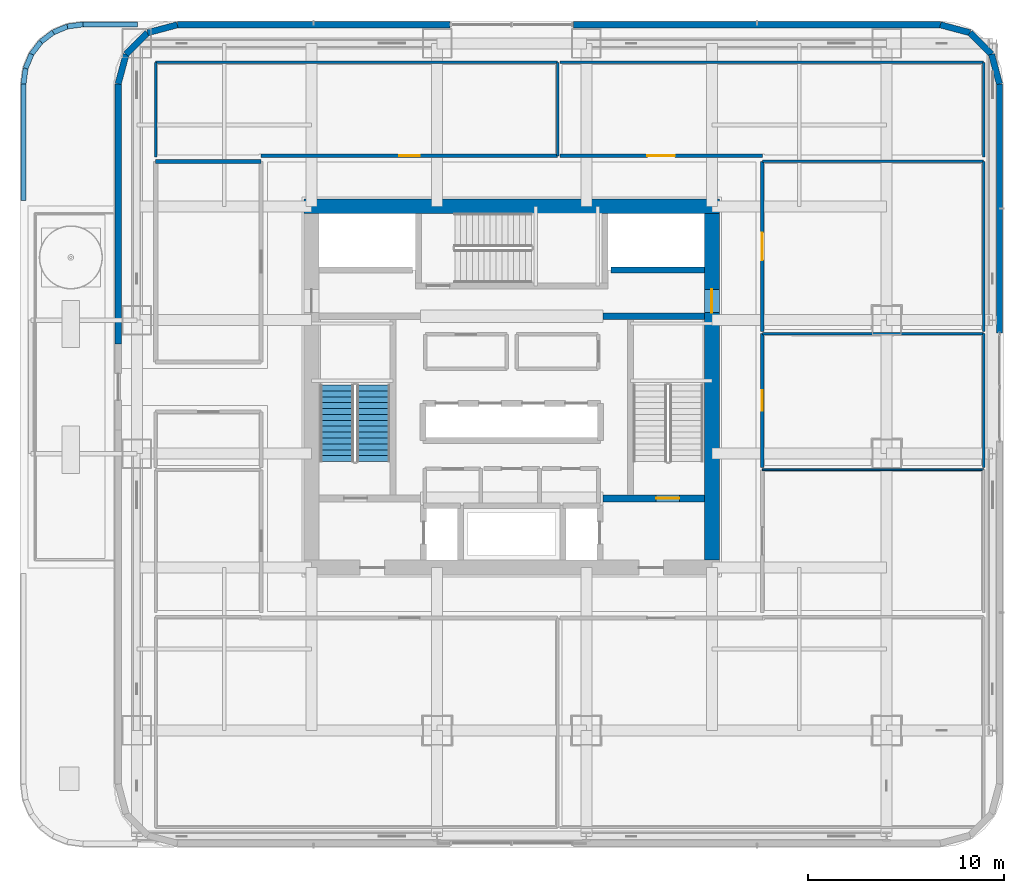
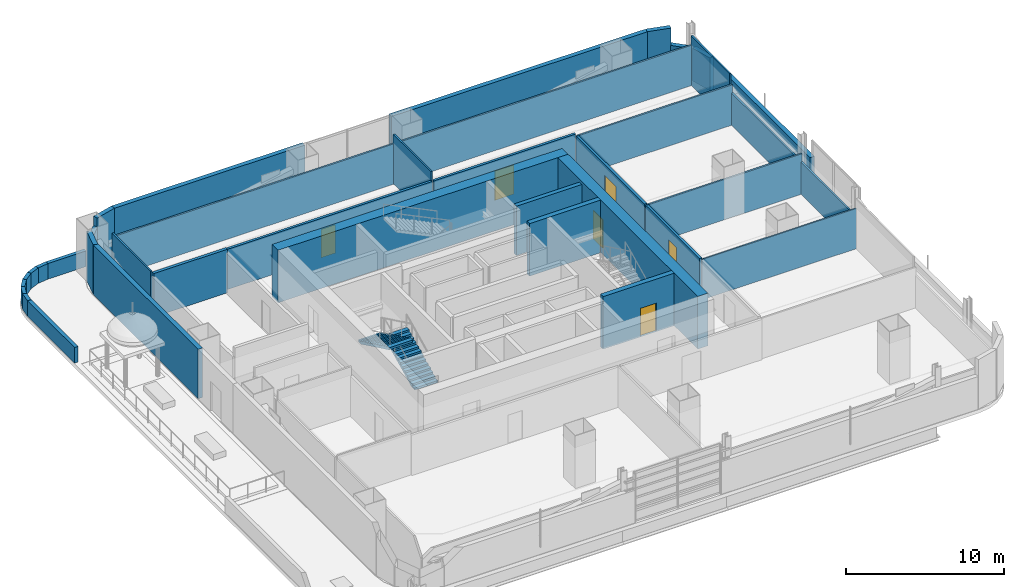
# One storey, part 13 of 27: 38 walls, 6 doors, 2 stair flights, 6 openings, 1 element without a shape of its own.
"""IFC4 building model written with IfcOpenShell, lengths in metres."""

from ifc_helpers import new_model, si_unit, direction, frame, frame_2d, origin, place, context, subcontext, project, spatial, polyline, rectangle, outline, extrude, material, layer, layer_set, type_object, element, fill, aggregate, save


model = new_model("IFC4")

# Units and contexts
model_context = context("Model", 3, precision=1e-05, world=origin(), true_north=direction((0.0, 1.0)))
body_context = subcontext(model_context, "Body", "Model", "MODEL_VIEW")
ifc_project = project(units=[si_unit("LENGTHUNIT", "METRE"), si_unit("AREAUNIT", "SQUARE_METRE"), si_unit("VOLUMEUNIT", "CUBIC_METRE"), si_unit("PLANEANGLEUNIT", "RADIAN"), si_unit("MASSUNIT", "GRAM", prefix="KILO")], contexts=[model_context])

# Site, building, storey
site_placement = place(None, origin())
site = spatial("IfcSite", under=ifc_project, at=site_placement, CompositionType="ELEMENT")
building_placement = place(site_placement, origin())
building = spatial("IfcBuilding", under=site, at=building_placement, Name="Punatoya Terracotta Tower", CompositionType="ELEMENT")
storey_placement = place(building_placement, frame((0.0, 0.0, 60.60009765625)))
storey = spatial("IfcBuildingStorey", under=building, at=storey_placement, Name="L13", CompositionType="ELEMENT", Elevation=60.60009765625)

# Wall
ifc_material_1 = material(Name="Concrete C60/75", Category="concrete")
ifc_layer_1 = layer(ifc_material_1, 0.75)
ifc_layer_set_1 = layer_set([ifc_layer_1], Name="Concrete C60/75")
wall_type_1 = type_object("IfcWallType", Name="WL-COR-750", PredefinedType="SHEAR", material=ifc_layer_set_1)
wall_1_placement = place(storey_placement, frame((-10.574951171875, 9.199951171875, 0.0), z_axis=(0.0, 0.0, 1.0), x_axis=(1.0, 0.0, 0.0)))
element("IfcWall", 1, at=wall_1_placement, inside=storey, type_object=wall_type_1, Name="L13 Core Shear Wall N", PredefinedType="SHEAR", context=body_context, shape_type="SweptSolid", body=[
    extrude(rectangle(XDim=21.14990234375, YDim=0.75, at=frame_2d((10.574951171875, 0.0))), origin(), (0.0, 0.0, 1.0), 4.0498046875),
])

# Wall, opening, door
wall_2_placement = place(storey_placement, frame((10.199951171875, 8.824951171875, 0.0), z_axis=(0.0, 0.0, 1.0), x_axis=(0.0, -1.0, 0.0)))
wall_2 = element("IfcWall", 2, at=wall_2_placement, inside=storey, type_object=wall_type_1, Name="L13 Core Shear Wall E", PredefinedType="SHEAR", context=body_context, shape_type="SweptSolid", body=[
    extrude(rectangle(XDim=17.64990234375, YDim=0.75, at=frame_2d((8.824951171875, 0.0))), origin(), (0.0, 0.0, 1.0), 4.0498046875),
])
opening_1_placement = place(wall_2_placement, frame((3.85498046875, 0.0, 0.0)))
opening_1 = element("IfcOpeningElement", 3, at=opening_1_placement, cuts=wall_2, Name="Opening SD-01", PredefinedType="OPENING", context=body_context, shape_type="SweptSolid", body=[
    extrude(rectangle(XDim=1.179931640625, YDim=2.199951171875, at=frame_2d((0.58984375, 1.10009765625))), frame((0.0, 0.385009765625, 0.0), z_axis=(0.0, -1.0, 0.0), x_axis=(1.0, 0.0, 0.0)), (0.0, 0.0, 1.0), 0.77001953125),
])
ifc_material_2 = material(Name="Galvanised Steel Pressurized Stair Fire Door", Category="steel")
door_type_1 = type_object("IfcDoorType", Name="DR-STR-1180", OperationType="NOTDEFINED", PredefinedType="DOOR", material=ifc_material_2)
door_1_placement = place(opening_1_placement, origin())
door_1 = element("IfcDoor", 4, at=door_1_placement, inside=storey, type_object=door_type_1, Name="L13 Central Lift Lobby East Fire Door", OperationType="SINGLE_SWING_RIGHT", OverallHeight=2.199951171875, OverallWidth=1.179931640625, PredefinedType="DOOR", context=body_context, shape_type="SweptSolid", body=[
    extrude(rectangle(XDim=1.179931640625, YDim=2.199951171875, at=frame_2d((0.58984375, 1.10009765625))), frame((0.0, 0.02490234375, 0.0), z_axis=(0.0, -1.0, 0.0), x_axis=(1.0, 0.0, 0.0)), (0.0, 0.0, 1.0), 0.050048828125),
])
fill(opening_1, door_1)

ifc_material_3 = material(Name="Gypsum Fireboard + Steel Stud", Category="steel")
ifc_layer_2 = layer(ifc_material_3, 0.179931640625)
ifc_layer_set_2 = layer_set([ifc_layer_2], Name="Gypsum Fireboard + Steel Stud")
wall_type_2 = type_object("IfcWallType", Name="WL-CORR-180", PredefinedType="PARTITIONING", material=ifc_layer_set_2)
wall_3_placement = place(storey_placement, frame((12.77001953125, -4.097900390625, 0.0), z_axis=(0.0, 0.0, 1.0), x_axis=(0.0, 1.0, 0.0)))
wall_3 = element("IfcWall", 5, at=wall_3_placement, inside=storey, type_object=wall_type_2, Name="L13 Open-Plan Acoustic Wellness Room Partition 36", PredefinedType="PARTITIONING", context=body_context, shape_type="SweptSolid", body=[
    extrude(rectangle(XDim=6.809814453125, YDim=0.179931640625, at=frame_2d((3.40478515625, 0.0))), origin(), (0.0, 0.0, 1.0), 3.10400390625),
])
opening_2_placement = place(wall_3_placement, frame((2.8798828125, 0.0, 0.0)))
opening_2 = element("IfcOpeningElement", 6, at=opening_2_placement, cuts=wall_3, Name="Opening OD-01", PredefinedType="OPENING", context=body_context, shape_type="SweptSolid", body=[
    extrude(rectangle(XDim=1.050048828125, YDim=2.199951171875, at=frame_2d((0.52490234375, 1.10009765625))), frame((0.0, 0.099853515625, 0.0), z_axis=(0.0, -1.0, 0.0), x_axis=(1.0, 0.0, 0.0)), (0.0, 0.0, 1.0), 0.199951171875),
])
ifc_material_4 = material(Name="Bengal Teak Solid-Core Leaf")
door_type_2 = type_object("IfcDoorType", Name="DR-OFF-1050", OperationType="NOTDEFINED", PredefinedType="DOOR", material=ifc_material_4)
door_2_placement = place(opening_2_placement, origin())
door_2 = element("IfcDoor", 7, at=door_2_placement, inside=storey, type_object=door_type_2, Name="L13 Open-Plan Acoustic Wellness Room Door", OperationType="SINGLE_SWING_RIGHT", OverallHeight=2.199951171875, OverallWidth=1.050048828125, PredefinedType="DOOR", context=body_context, shape_type="SweptSolid", body=[
    extrude(rectangle(XDim=1.050048828125, YDim=2.199951171875, at=frame_2d((0.52490234375, 1.10009765625))), frame((0.0, 0.02490234375, 0.0), z_axis=(0.0, -1.0, 0.0), x_axis=(1.0, 0.0, 0.0)), (0.0, 0.0, 1.0), 0.050048828125),
])
fill(opening_2, door_2)

wall_4_placement = place(storey_placement, frame((12.77001953125, 2.83203125, 0.0), z_axis=(0.0, 0.0, 1.0), x_axis=(0.0, 1.0, 0.0)))
wall_4 = element("IfcWall", 8, at=wall_4_placement, inside=storey, type_object=wall_type_2, Name="L13 Open-Plan Editorial Conference Room Partition 43", PredefinedType="PARTITIONING", context=body_context, shape_type="SweptSolid", body=[
    extrude(rectangle(XDim=8.657958984375, YDim=0.179931640625, at=frame_2d((4.3291015625, 0.0))), origin(), (0.0, 0.0, 1.0), 3.10400390625),
])
opening_3_placement = place(wall_4_placement, frame((3.62890625, 0.0, 0.0)))
opening_3 = element("IfcOpeningElement", 9, at=opening_3_placement, cuts=wall_4, Name="Opening BD-01", PredefinedType="OPENING", context=body_context, shape_type="SweptSolid", body=[
    extrude(rectangle(XDim=1.39990234375, YDim=2.25, at=frame_2d((0.699951171875, 1.125))), frame((0.0, 0.099853515625, 0.0), z_axis=(0.0, -1.0, 0.0), x_axis=(1.0, 0.0, 0.0)), (0.0, 0.0, 1.0), 0.199951171875),
])
ifc_material_5 = material(Name="Bengal Teak Acoustic Leaf")
door_type_3 = type_object("IfcDoorType", Name="DR-BRD-1400", OperationType="NOTDEFINED", PredefinedType="DOOR", material=ifc_material_5)
door_3_placement = place(opening_3_placement, origin())
door_3 = element("IfcDoor", 10, at=door_3_placement, inside=storey, type_object=door_type_3, Name="L13 Open-Plan Editorial Conference Room Door", OperationType="SINGLE_SWING_RIGHT", OverallHeight=2.25, OverallWidth=1.39990234375, PredefinedType="DOOR", context=body_context, shape_type="SweptSolid", body=[
    extrude(rectangle(XDim=1.39990234375, YDim=2.25, at=frame_2d((0.699951171875, 1.125))), frame((0.0, 0.02490234375, 0.0), z_axis=(0.0, -1.0, 0.0), x_axis=(1.0, 0.0, 0.0)), (0.0, 0.0, 1.0), 0.050048828125),
])
fill(opening_3, door_3)

wall_5_placement = place(storey_placement, frame((2.340087890625, 11.77001953125, 0.0), z_axis=(0.0, 0.0, 1.0), x_axis=(-1.0, 0.0, 0.0)))
wall_5 = element("IfcWall", 11, at=wall_5_placement, inside=storey, type_object=wall_type_2, Name="L13 Client Briefing Office Partition 47", PredefinedType="PARTITIONING", context=body_context, shape_type="SweptSolid", body=[
    extrude(rectangle(XDim=15.110107421875, YDim=0.179931640625, at=frame_2d((7.55517578125, 0.0))), origin(), (0.0, 0.0, 1.0), 3.10400390625),
])
opening_4_placement = place(wall_5_placement, frame((7.030029296875, 0.0, 0.0)))
opening_4 = element("IfcOpeningElement", 12, at=opening_4_placement, cuts=wall_5, Name="Opening OD-01", PredefinedType="OPENING", context=body_context, shape_type="SweptSolid", body=[
    extrude(rectangle(XDim=1.050048828125, YDim=2.199951171875, at=frame_2d((0.52490234375, 1.10009765625))), frame((0.0, 0.099853515625, 0.0), z_axis=(0.0, -1.0, 0.0), x_axis=(1.0, 0.0, 0.0)), (0.0, 0.0, 1.0), 0.199951171875),
])
door_4_placement = place(opening_4_placement, origin())
door_4 = element("IfcDoor", 13, at=door_4_placement, inside=storey, type_object=door_type_2, Name="L13 Client Briefing Office Door", OperationType="SINGLE_SWING_LEFT", OverallHeight=2.199951171875, OverallWidth=1.050048828125, PredefinedType="DOOR", context=body_context, shape_type="SweptSolid", body=[
    extrude(rectangle(XDim=1.050048828125, YDim=2.199951171875, at=frame_2d((0.52490234375, 1.10009765625))), frame((0.0, 0.02490234375, 0.0), z_axis=(0.0, -1.0, 0.0), x_axis=(1.0, 0.0, 0.0)), (0.0, 0.0, 1.0), 0.050048828125),
])
fill(opening_4, door_4)

wall_6_placement = place(storey_placement, frame((12.77001953125, 11.77001953125, 0.0), z_axis=(0.0, 0.0, 1.0), x_axis=(-1.0, 0.0, 0.0)))
wall_6 = element("IfcWall", 14, at=wall_6_placement, inside=storey, type_object=wall_type_2, Name="L13 Visualization Review Room Partition 50", PredefinedType="PARTITIONING", context=body_context, shape_type="SweptSolid", body=[
    extrude(rectangle(XDim=10.31005859375, YDim=0.179931640625, at=frame_2d((5.155029296875, 0.0))), origin(), (0.0, 0.0, 1.0), 3.10400390625),
])
opening_5_placement = place(wall_6_placement, frame((4.455078125, 0.0, 0.0)))
opening_5 = element("IfcOpeningElement", 15, at=opening_5_placement, cuts=wall_6, Name="Opening BD-01", PredefinedType="OPENING", context=body_context, shape_type="SweptSolid", body=[
    extrude(rectangle(XDim=1.39990234375, YDim=2.25, at=frame_2d((0.699951171875, 1.125))), frame((0.0, 0.099853515625, 0.0), z_axis=(0.0, -1.0, 0.0), x_axis=(1.0, 0.0, 0.0)), (0.0, 0.0, 1.0), 0.199951171875),
])
door_5_placement = place(opening_5_placement, origin())
door_5 = element("IfcDoor", 16, at=door_5_placement, inside=storey, type_object=door_type_3, Name="L13 Visualization Review Room Door", OperationType="SINGLE_SWING_RIGHT", OverallHeight=2.25, OverallWidth=1.39990234375, PredefinedType="DOOR", context=body_context, shape_type="SweptSolid", body=[
    extrude(rectangle(XDim=1.39990234375, YDim=2.25, at=frame_2d((0.699951171875, 1.125))), frame((0.0, 0.02490234375, 0.0), z_axis=(0.0, -1.0, 0.0), x_axis=(1.0, 0.0, 0.0)), (0.0, 0.0, 1.0), 0.050048828125),
])
fill(opening_5, door_5)

# Walls
ifc_material_6 = material(Name="Precast concrete C40/50", Category="concrete")
ifc_layer_3 = layer(ifc_material_6, 0.320068359375)
ifc_layer_set_3 = layer_set([ifc_layer_3], Name="Precast concrete C40/50")
wall_type_3 = type_object("IfcWallType", Name="WL-EXT-320", PredefinedType="SOLIDWALL", material=ifc_layer_set_3)
wall_7_placement = place(storey_placement, frame((24.85009765625, 2.75, 0.0), z_axis=(0.0, 0.0, 1.0), x_axis=(0.0, 1.0, 0.0)))
element("IfcWall", 17, at=wall_7_placement, inside=storey, type_object=wall_type_3, Name="L13 Terracotta Braced Facade Wall E2", PredefinedType="SOLIDWALL", context=body_context, shape_type="SweptSolid", body=[
    extrude(rectangle(XDim=12.68701171875, YDim=0.320068359375, at=frame_2d((6.343505859375, 0.0))), origin(), (0.0, 0.0, 1.0), 2.52392578125),
])
wall_8_placement = place(storey_placement, frame((24.85009765625, 15.43701171875, 0.0), z_axis=(0.0, 0.0, 1.0), x_axis=(-0.257847112249, 0.966185730957, 0.0)))
element("IfcWall", 18, at=wall_8_placement, inside=storey, type_object=wall_type_3, Name="L13 Rounded Terracotta Corner Pier 06", PredefinedType="SOLIDWALL", context=body_context, shape_type="SweptSolid", body=[
    extrude(rectangle(XDim=1.565185546875, YDim=0.320068359375, at=frame_2d((0.78271484375, 0.0))), origin(), (0.0, 0.0, 1.0), 2.52392578125),
])
wall_9_placement = place(storey_placement, frame((24.446533203125, 16.94921875, 0.0), z_axis=(0.0, 0.0, 1.0), x_axis=(-0.707106781187, 0.707106781187, 0.0)))
element("IfcWall", 19, at=wall_9_placement, inside=storey, type_object=wall_type_3, Name="L13 Rounded Terracotta Corner Pier 07", PredefinedType="SOLIDWALL", context=body_context, shape_type="SweptSolid", body=[
    extrude(rectangle(XDim=1.552001953125, YDim=0.320068359375, at=frame_2d((0.77587890625, 0.0))), origin(), (0.0, 0.0, 1.0), 2.48388671875),
])
wall_10_placement = place(storey_placement, frame((23.34912109375, 18.046630859375, 0.0), z_axis=(0.0, 0.0, 1.0), x_axis=(-0.966224582397, 0.257701486942, 0.0)))
element("IfcWall", 20, at=wall_10_placement, inside=storey, type_object=wall_type_3, Name="L13 Rounded Terracotta Corner Pier 08", PredefinedType="SOLIDWALL", context=body_context, shape_type="SweptSolid", body=[
    extrude(rectangle(XDim=1.565185546875, YDim=0.320068359375, at=frame_2d((0.78271484375, 0.0))), origin(), (0.0, 0.0, 1.0), 3.809814453125),
])
wall_11_placement = place(storey_placement, frame((21.8369140625, 18.449951171875, 0.0), z_axis=(0.0, 0.0, 1.0), x_axis=(-1.0, 0.0, 0.0)))
element("IfcWall", 21, at=wall_11_placement, inside=storey, type_object=wall_type_3, Name="L13 Terracotta Braced Facade Wall N1", PredefinedType="SOLIDWALL", context=body_context, shape_type="SweptSolid", body=[
    extrude(rectangle(XDim=18.68701171875, YDim=0.320068359375, at=frame_2d((9.343505859375, 0.0))), origin(), (0.0, 0.0, 1.0), 3.809814453125),
])
wall_12_placement = place(storey_placement, frame((-3.14990234375, 18.449951171875, 0.0), z_axis=(0.0, 0.0, 1.0), x_axis=(-1.0, 0.0, 0.0)))
element("IfcWall", 22, at=wall_12_placement, inside=storey, type_object=wall_type_3, Name="L13 Terracotta Braced Facade Wall N2", PredefinedType="SOLIDWALL", context=body_context, shape_type="SweptSolid", body=[
    extrude(rectangle(XDim=13.886962890625, YDim=0.320068359375, at=frame_2d((6.943359375, 0.0))), origin(), (0.0, 0.0, 1.0), 3.809814453125),
])
wall_13_placement = place(storey_placement, frame((-17.036865234375, 18.449951171875, 0.0), z_axis=(0.0, 0.0, 1.0), x_axis=(-0.966224582397, -0.257701486942, 0.0)))
element("IfcWall", 23, at=wall_13_placement, inside=storey, type_object=wall_type_3, Name="L13 Rounded Terracotta Corner Pier 10", PredefinedType="SOLIDWALL", context=body_context, shape_type="SweptSolid", body=[
    extrude(rectangle(XDim=1.565185546875, YDim=0.320068359375, at=frame_2d((0.78271484375, 0.0))), origin(), (0.0, 0.0, 1.0), 3.809814453125),
])
wall_14_placement = place(storey_placement, frame((-18.549072265625, 18.046630859375, 0.0), z_axis=(0.0, 0.0, 1.0), x_axis=(-0.707106781187, -0.707106781187, 0.0)))
element("IfcWall", 24, at=wall_14_placement, inside=storey, type_object=wall_type_3, Name="L13 Rounded Terracotta Corner Pier 11", PredefinedType="SOLIDWALL", context=body_context, shape_type="SweptSolid", body=[
    extrude(rectangle(XDim=1.552001953125, YDim=0.320068359375, at=frame_2d((0.77587890625, 0.0))), origin(), (0.0, 0.0, 1.0), 3.10400390625),
])
wall_15_placement = place(storey_placement, frame((-19.646484375, 16.94921875, 0.0), z_axis=(0.0, 0.0, 1.0), x_axis=(-0.257847112249, -0.966185730957, 0.0)))
element("IfcWall", 25, at=wall_15_placement, inside=storey, type_object=wall_type_3, Name="L13 Rounded Terracotta Corner Pier 12", PredefinedType="SOLIDWALL", context=body_context, shape_type="SweptSolid", body=[
    extrude(rectangle(XDim=1.565185546875, YDim=0.320068359375, at=frame_2d((0.78271484375, 0.0))), origin(), (0.0, 0.0, 1.0), 3.809814453125),
])
wall_16_placement = place(storey_placement, frame((-20.050048828125, 15.43701171875, 0.0), z_axis=(0.0, 0.0, 1.0), x_axis=(0.0, -1.0, 0.0)))
element("IfcWall", 26, at=wall_16_placement, inside=storey, type_object=wall_type_3, Name="L13 Terracotta Braced Facade Wall W", PredefinedType="SOLIDWALL", context=body_context, shape_type="SweptSolid", body=[
    extrude(rectangle(XDim=13.237060546875, YDim=0.320068359375, at=frame_2d((6.61865234375, 0.0))), origin(), (0.0, 0.0, 1.0), 3.809814453125),
])
ifc_material_7 = material(Name="Concrete C40/50", Category="concrete")
ifc_layer_4 = layer(ifc_material_7, 0.219970703125)
ifc_layer_set_4 = layer_set([ifc_layer_4], Name="Concrete C40/50")
wall_type_4 = type_object("IfcWallType", Name="WL-FIR-220", PredefinedType="SOLIDWALL", material=ifc_layer_set_4)
wall_17_placement = place(storey_placement, frame((-18.139892578125, 11.489990234375, 0.0), z_axis=(0.0, 0.0, 1.0), x_axis=(1.0, 0.0, 0.0)))
element("IfcWall", 27, at=wall_17_placement, inside=storey, type_object=wall_type_4, Name="L13 Model-Making Archive Partition 38", PredefinedType="SOLIDWALL", context=body_context, shape_type="SweptSolid", body=[
    extrude(rectangle(XDim=5.369873046875, YDim=0.219970703125, at=frame_2d((2.68505859375, 0.0))), origin(), (0.0, 0.0, 1.0), 3.35400390625),
])
ifc_material_8 = material(Name="Aluminium Framed Acoustic Glass Partition", Category="aluminium")
ifc_layer_5 = layer(ifc_material_8, 0.10009765625)
ifc_layer_set_5 = layer_set([ifc_layer_5], Name="Aluminium Framed Acoustic Glass Partition")
wall_type_5 = type_object("IfcWallType", Name="WL-GLZ-100", PredefinedType="PARTITIONING", material=ifc_layer_set_5)
wall_18_placement = place(storey_placement, frame((12.77001953125, -4.218017578125, 0.0), z_axis=(0.0, 0.0, 1.0), x_axis=(1.0, 0.0, 0.0)))
element("IfcWall", 28, at=wall_18_placement, inside=storey, type_object=wall_type_5, Name="L13 Press Briefing Room Partition 28", PredefinedType="PARTITIONING", context=body_context, shape_type="SweptSolid", body=[
    extrude(rectangle(XDim=11.27001953125, YDim=0.10009765625, at=frame_2d((5.635009765625, 0.0))), origin(), (0.0, 0.0, 1.0), 3.10400390625),
])
ifc_material_9 = material(Name="Gypsum Partition + Steel Stud", Category="steel")
ifc_layer_6 = layer(ifc_material_9, 0.1201171875)
ifc_layer_set_6 = layer_set([ifc_layer_6], Name="Gypsum Partition + Steel Stud")
wall_type_6 = type_object("IfcWallType", Name="WL-OFF-120", PredefinedType="PARTITIONING", material=ifc_layer_set_6)
wall_19_placement = place(storey_placement, frame((12.77001953125, 2.7119140625, 0.0), z_axis=(0.0, 0.0, 1.0), x_axis=(1.0, 0.0, 0.0)))
element("IfcWall", 29, at=wall_19_placement, inside=storey, type_object=wall_type_6, Name="L13 Open-Plan Acoustic Wellness Room Partition 34", PredefinedType="PARTITIONING", context=body_context, shape_type="SweptSolid", body=[
    extrude(rectangle(XDim=11.27001953125, YDim=0.1201171875, at=frame_2d((5.635009765625, 0.0))), origin(), (0.0, 0.0, 1.0), 3.10400390625),
])
wall_20_placement = place(storey_placement, frame((24.0400390625, 2.7119140625, 0.0), z_axis=(0.0, 0.0, 1.0), x_axis=(0.0, -1.0, 0.0)))
element("IfcWall", 30, at=wall_20_placement, inside=storey, type_object=wall_type_6, Name="L13 Open-Plan Acoustic Wellness Room Partition 35", PredefinedType="PARTITIONING", context=body_context, shape_type="SweptSolid", body=[
    extrude(rectangle(XDim=6.809814453125, YDim=0.1201171875, at=frame_2d((3.40478515625, 0.0))), origin(), (0.0, 0.0, 1.0), 2.48388671875),
])
wall_21_placement = place(storey_placement, frame((12.77001953125, 11.489990234375, 0.0), z_axis=(0.0, 0.0, 1.0), x_axis=(1.0, 0.0, 0.0)))
element("IfcWall", 31, at=wall_21_placement, inside=storey, type_object=wall_type_6, Name="L13 Open-Plan Editorial Conference Room Partition 41", PredefinedType="PARTITIONING", context=body_context, shape_type="SweptSolid", body=[
    extrude(rectangle(XDim=11.27001953125, YDim=0.1201171875, at=frame_2d((5.635009765625, 0.0))), origin(), (0.0, 0.0, 1.0), 3.10400390625),
])
wall_22_placement = place(storey_placement, frame((24.0400390625, 11.489990234375, 0.0), z_axis=(0.0, 0.0, 1.0), x_axis=(0.0, -1.0, 0.0)))
element("IfcWall", 32, at=wall_22_placement, inside=storey, type_object=wall_type_6, Name="L13 Open-Plan Editorial Conference Room Partition 42", PredefinedType="PARTITIONING", context=body_context, shape_type="SweptSolid", body=[
    extrude(rectangle(XDim=8.657958984375, YDim=0.1201171875, at=frame_2d((4.3291015625, 0.0))), origin(), (0.0, 0.0, 1.0), 2.48388671875),
])
wall_23_placement = place(storey_placement, frame((-18.139892578125, 11.7099609375, 0.0), z_axis=(0.0, 0.0, 1.0), x_axis=(0.0, 1.0, 0.0)))
element("IfcWall", 33, at=wall_23_placement, inside=storey, type_object=wall_type_6, Name="L13 Client Briefing Office Partition 44", PredefinedType="PARTITIONING", context=body_context, shape_type="SweptSolid", body=[
    extrude(rectangle(XDim=4.830078125, YDim=0.1201171875, at=frame_2d((2.4150390625, 0.0))), origin(), (0.0, 0.0, 1.0), 3.35400390625),
])
wall_24_placement = place(storey_placement, frame((-18.139892578125, 16.5400390625, 0.0), z_axis=(0.0, 0.0, 1.0), x_axis=(1.0, 0.0, 0.0)))
element("IfcWall", 34, at=wall_24_placement, inside=storey, type_object=wall_type_6, Name="L13 Client Briefing Office Partition 45", PredefinedType="PARTITIONING", context=body_context, shape_type="SweptSolid", body=[
    extrude(rectangle(XDim=20.47998046875, YDim=0.1201171875, at=frame_2d((10.239990234375, 0.0))), origin(), (0.0, 0.0, 1.0), 3.10400390625),
])
wall_25_placement = place(storey_placement, frame((2.340087890625, 16.5400390625, 0.0), z_axis=(0.0, 0.0, 1.0), x_axis=(0.0, -1.0, 0.0)))
element("IfcWall", 35, at=wall_25_placement, inside=storey, type_object=wall_type_6, Name="L13 Client Briefing Office Partition 46", PredefinedType="PARTITIONING", context=body_context, shape_type="SweptSolid", body=[
    extrude(rectangle(XDim=4.77001953125, YDim=0.1201171875, at=frame_2d((2.385009765625, 0.0))), origin(), (0.0, 0.0, 1.0), 3.809814453125),
])
wall_26_placement = place(storey_placement, frame((2.4599609375, 16.5400390625, 0.0), z_axis=(0.0, 0.0, 1.0), x_axis=(1.0, 0.0, 0.0)))
element("IfcWall", 36, at=wall_26_placement, inside=storey, type_object=wall_type_6, Name="L13 Visualization Review Room Partition 48", PredefinedType="PARTITIONING", context=body_context, shape_type="SweptSolid", body=[
    extrude(rectangle(XDim=21.580078125, YDim=0.1201171875, at=frame_2d((10.7900390625, 0.0))), origin(), (0.0, 0.0, 1.0), 3.10400390625),
])
wall_27_placement = place(storey_placement, frame((24.0400390625, 16.5400390625, 0.0), z_axis=(0.0, 0.0, 1.0), x_axis=(0.0, -1.0, 0.0)))
element("IfcWall", 37, at=wall_27_placement, inside=storey, type_object=wall_type_6, Name="L13 Visualization Review Room Partition 49", PredefinedType="PARTITIONING", context=body_context, shape_type="SweptSolid", body=[
    extrude(rectangle(XDim=4.830078125, YDim=0.1201171875, at=frame_2d((2.4150390625, 0.0))), origin(), (0.0, 0.0, 1.0), 3.809814453125),
])
ifc_layer_7 = layer(ifc_material_6, 0.260009765625)
ifc_layer_set_7 = layer_set([ifc_layer_7], Name="Precast concrete C40/50")
wall_type_7 = type_object("IfcWallType", Name="WL-PAR-260", PredefinedType="PARAPET", material=ifc_layer_set_7)
wall_28_placement = place(storey_placement, frame((-19.065185546875, 18.469970703125, 0.0), z_axis=(0.0, 0.0, 1.0), x_axis=(-1.0, 0.0, 0.0)))
element("IfcWall", 38, at=wall_28_placement, inside=storey, type_object=wall_type_7, Name="L13 Roof Parapet Wall PAR-L13-RF-01", PredefinedType="PARAPET", context=body_context, shape_type="SweptSolid", body=[
    extrude(rectangle(XDim=2.77294921875, YDim=0.260009765625, at=frame_2d((1.386474609375, 0.0))), origin(), (0.0, 0.0, 1.0), 1.199951171875),
])
wall_29_placement = place(storey_placement, frame((-21.838134765625, 18.469970703125, 0.0), z_axis=(0.0, 0.0, 1.0), x_axis=(-0.991429342672, -0.130644014367, 0.0)))
element("IfcWall", 39, at=wall_29_placement, inside=storey, type_object=wall_type_7, Name="L13 Roof Parapet Wall PAR-L13-RF-02", PredefinedType="PARAPET", context=body_context, shape_type="SweptSolid", body=[
    extrude(rectangle(XDim=0.7998046875, YDim=0.260009765625, at=frame_2d((0.39990234375, 0.0))), origin(), (0.0, 0.0, 1.0), 1.199951171875),
])
wall_30_placement = place(storey_placement, frame((-22.631103515625, 18.365478515625, 0.0), z_axis=(0.0, 0.0, 1.0), x_axis=(-0.924009282298, -0.382370038349, 0.0)))
element("IfcWall", 40, at=wall_30_placement, inside=storey, type_object=wall_type_7, Name="L13 Roof Parapet Wall PAR-L13-RF-03", PredefinedType="PARAPET", context=body_context, shape_type="SweptSolid", body=[
    extrude(rectangle(XDim=0.787841796875, YDim=0.260009765625, at=frame_2d((0.39404296875, 0.0))), origin(), (0.0, 0.0, 1.0), 1.199951171875),
])
wall_31_placement = place(storey_placement, frame((-23.359130859375, 18.064208984375, 0.0), z_axis=(0.0, 0.0, 1.0), x_axis=(-0.793222344381, -0.608932108182, 0.0)))
element("IfcWall", 41, at=wall_31_placement, inside=storey, type_object=wall_type_7, Name="L13 Roof Parapet Wall PAR-L13-RF-04", PredefinedType="PARAPET", context=body_context, shape_type="SweptSolid", body=[
    extrude(rectangle(XDim=0.788330078125, YDim=0.260009765625, at=frame_2d((0.39404296875, 0.0))), origin(), (0.0, 0.0, 1.0), 1.199951171875),
])
wall_32_placement = place(storey_placement, frame((-23.984375, 17.584228515625, 0.0), z_axis=(0.0, 0.0, 1.0), x_axis=(-0.608886809997, -0.793257116332, 0.0)))
element("IfcWall", 42, at=wall_32_placement, inside=storey, type_object=wall_type_7, Name="L13 Roof Parapet Wall PAR-L13-RF-05", PredefinedType="PARAPET", context=body_context, shape_type="SweptSolid", body=[
    extrude(rectangle(XDim=0.787841796875, YDim=0.260009765625, at=frame_2d((0.39404296875, 0.0))), origin(), (0.0, 0.0, 1.0), 1.199951171875),
])
wall_33_placement = place(storey_placement, frame((-24.464111328125, 16.959228515625, 0.0), z_axis=(0.0, 0.0, 1.0), x_axis=(-0.38263454961, -0.923899778896, 0.0)))
element("IfcWall", 43, at=wall_33_placement, inside=storey, type_object=wall_type_7, Name="L13 Roof Parapet Wall PAR-L13-RF-06", PredefinedType="PARAPET", context=body_context, shape_type="SweptSolid", body=[
    extrude(rectangle(XDim=0.7880859375, YDim=0.260009765625, at=frame_2d((0.39404296875, 0.0))), origin(), (0.0, 0.0, 1.0), 1.199951171875),
])
wall_34_placement = place(storey_placement, frame((-24.765625, 16.231201171875, 0.0), z_axis=(0.0, 0.0, 1.0), x_axis=(-0.130644014367, -0.991429342672, 0.0)))
element("IfcWall", 44, at=wall_34_placement, inside=storey, type_object=wall_type_7, Name="L13 Roof Parapet Wall PAR-L13-RF-07", PredefinedType="PARAPET", context=body_context, shape_type="SweptSolid", body=[
    extrude(rectangle(XDim=0.7998046875, YDim=0.260009765625, at=frame_2d((0.39990234375, 0.0))), origin(), (0.0, 0.0, 1.0), 1.199951171875),
])
wall_35_placement = place(storey_placement, frame((-24.8701171875, 15.438232421875, 0.0), z_axis=(0.0, 0.0, 1.0), x_axis=(0.0, -1.0, 0.0)))
element("IfcWall", 45, at=wall_35_placement, inside=storey, type_object=wall_type_7, Name="L13 Roof Parapet Wall PAR-L13-RF-08", PredefinedType="PARAPET", context=body_context, shape_type="SweptSolid", body=[
    extrude(rectangle(XDim=5.938232421875, YDim=0.260009765625, at=frame_2d((2.96923828125, 0.0))), origin(), (0.0, 0.0, 1.0), 1.199951171875),
])
ifc_layer_8 = layer(ifc_material_7, 0.300048828125)
ifc_layer_set_8 = layer_set([ifc_layer_8], Name="Concrete C40/50")
wall_type_8 = type_object("IfcWallType", Name="WL-SHF-300", PredefinedType="SOLIDWALL", material=ifc_layer_set_8)
wall_36_placement = place(storey_placement, frame((5.06005859375, 5.949951171875, 0.0), z_axis=(0.0, 0.0, 1.0), x_axis=(1.0, 0.0, 0.0)))
element("IfcWall", 46, at=wall_36_placement, inside=storey, type_object=wall_type_8, Name="L13 Shuttle SL-2 South Hoistway Wall", PredefinedType="SOLIDWALL", context=body_context, shape_type="SweptSolid", body=[
    extrude(rectangle(XDim=4.760009765625, YDim=0.300048828125, at=frame_2d((2.3798828125, 0.0))), origin(), (0.0, 0.0, 1.0), 3.809814453125),
])

# Wall, opening, door
ifc_material_10 = material(Name="Concrete C50/60", Category="concrete")
ifc_layer_9 = layer(ifc_material_10, 0.35009765625)
ifc_layer_set_9 = layer_set([ifc_layer_9], Name="Concrete C50/60")
wall_type_9 = type_object("IfcWallType", Name="WL-SHF-350", PredefinedType="SOLIDWALL", material=ifc_layer_set_9)
wall_37_placement = place(storey_placement, frame((4.64990234375, -5.679931640625, 0.0), z_axis=(0.0, 0.0, 1.0), x_axis=(1.0, 0.0, 0.0)))
wall_37 = element("IfcWall", 47, at=wall_37_placement, inside=storey, type_object=wall_type_9, Name="L13 Core Web Wall CSW-R", PredefinedType="SOLIDWALL", context=body_context, shape_type="SweptSolid", body=[
    extrude(rectangle(XDim=5.175048828125, YDim=0.35009765625, at=frame_2d((2.58740234375, 0.0))), origin(), (0.0, 0.0, 1.0), 4.0498046875),
])
opening_6_placement = place(wall_37_placement, frame((2.7099609375, 0.0, 0.0)))
opening_6 = element("IfcOpeningElement", 48, at=opening_6_placement, cuts=wall_37, Name="Opening SD-01", PredefinedType="OPENING", context=body_context, shape_type="SweptSolid", body=[
    extrude(rectangle(XDim=1.179931640625, YDim=2.199951171875, at=frame_2d((0.58984375, 1.10009765625))), frame((0.0, 0.18505859375, 0.0), z_axis=(0.0, -1.0, 0.0), x_axis=(1.0, 0.0, 0.0)), (0.0, 0.0, 1.0), 0.3701171875),
])
door_6_placement = place(opening_6_placement, origin())
door_6 = element("IfcDoor", 49, at=door_6_placement, inside=storey, type_object=door_type_1, Name="L13 Stair ST-2 Smokeproof Lobby Fire Door", OperationType="SINGLE_SWING_RIGHT", OverallHeight=2.199951171875, OverallWidth=1.179931640625, PredefinedType="DOOR", context=body_context, shape_type="SweptSolid", body=[
    extrude(rectangle(XDim=1.179931640625, YDim=2.199951171875, at=frame_2d((0.58984375, 1.10009765625))), frame((0.0, 0.02490234375, 0.0), z_axis=(0.0, -1.0, 0.0), x_axis=(1.0, 0.0, 0.0)), (0.0, 0.0, 1.0), 0.050048828125),
])
fill(opening_6, door_6)

# Wall
wall_38_placement = place(storey_placement, frame((4.64990234375, 3.60009765625, 0.0), z_axis=(0.0, 0.0, 1.0), x_axis=(1.0, 0.0, 0.0)))
element("IfcWall", 50, at=wall_38_placement, inside=storey, type_object=wall_type_9, Name="L13 Core Web Wall CNW-R", PredefinedType="SOLIDWALL", context=body_context, shape_type="SweptSolid", body=[
    extrude(rectangle(XDim=5.175048828125, YDim=0.35009765625, at=frame_2d((2.58740234375, 0.0))), origin(), (0.0, 0.0, 1.0), 4.0498046875),
])

# Stair, stair flights
stair_type = type_object("IfcStairType", Name="STR-CORE-1550", PredefinedType="HALF_TURN_STAIR", material=ifc_material_7)
stair_placement = place(storey_placement, origin())
stair = element("IfcStair", 51, at=stair_placement, inside=storey, type_object=stair_type, Name="L13 Protected Core Exit Stair ST-1", PredefinedType="HALF_TURN_STAIR")
stair_flight_type = type_object("IfcStairFlightType", Name="SFL-CORE-1550", PredefinedType="STRAIGHT", material=ifc_material_7)
stair_flight_1_placement = place(storey_placement, frame((-7.050048828125, -3.800048828125, 0.0), z_axis=(0.0, 0.0, 1.0), x_axis=(0.0, 1.0, 0.0)))
stair_flight_1 = element("IfcStairFlight", 52, at=stair_flight_1_placement, type_object=stair_flight_type, Name="ST-1 flight 1", NumberOfRisers=14, NumberOfTreads=13, PredefinedType="STRAIGHT", RiserHeight=0.144642857, TreadLength=0.3, context=body_context, shape_type="SweptSolid", body=[
    extrude(outline(polyline([(0.0, 0.0), (0.0, 0.14453125), (0.300048828125, 0.14453125), (0.300048828125, 0.289306640625), (0.60009765625, 0.289306640625), (0.60009765625, 0.433837890625), (0.89990234375, 0.433837890625), (0.89990234375, 0.57861328125), (1.199951171875, 0.57861328125), (1.199951171875, 0.72314453125), (1.5, 0.72314453125), (1.5, 0.867919921875), (1.800048828125, 0.867919921875), (1.800048828125, 1.012451171875), (2.10009765625, 1.012451171875), (2.10009765625, 1.1572265625), (2.39990234375, 1.1572265625), (2.39990234375, 1.3017578125), (2.699951171875, 1.3017578125), (2.699951171875, 1.446533203125), (3.0, 1.446533203125), (3.0, 1.591064453125), (3.300048828125, 1.591064453125), (3.300048828125, 1.735595703125), (3.60009765625, 1.735595703125), (3.60009765625, 1.88037109375), (3.89990234375, 1.88037109375), (3.89990234375, 2.02490234375), (3.89990234375, 1.7138671875), (0.34521484375, 0.0), (0.0, 0.0)])), frame((0.0, 0.85009765625, 0.0), z_axis=(0.0, -1.0, 0.0), x_axis=(1.0, 0.0, 0.0)), (0.0, 0.0, 1.0), 1.699951171875),
])
stair_flight_2_placement = place(storey_placement, frame((-8.89990234375, 0.10009765625, 2.02490234375), z_axis=(0.0, 0.0, 1.0), x_axis=(0.0, -1.0, 0.0)))
stair_flight_2 = element("IfcStairFlight", 53, at=stair_flight_2_placement, type_object=stair_flight_type, Name="ST-1 flight 2", NumberOfRisers=14, NumberOfTreads=13, PredefinedType="STRAIGHT", RiserHeight=0.144642857, TreadLength=0.3, context=body_context, shape_type="SweptSolid", body=[
    extrude(outline(polyline([(0.0, 0.0), (0.0, 0.14453125), (0.300048828125, 0.14453125), (0.300048828125, 0.289306640625), (0.60009765625, 0.289306640625), (0.60009765625, 0.433837890625), (0.89990234375, 0.433837890625), (0.89990234375, 0.57861328125), (1.199951171875, 0.57861328125), (1.199951171875, 0.72314453125), (1.5, 0.72314453125), (1.5, 0.867919921875), (1.800048828125, 0.867919921875), (1.800048828125, 1.012451171875), (2.10009765625, 1.012451171875), (2.10009765625, 1.1572265625), (2.39990234375, 1.1572265625), (2.39990234375, 1.3017578125), (2.699951171875, 1.3017578125), (2.699951171875, 1.446533203125), (3.0, 1.446533203125), (3.0, 1.591064453125), (3.300048828125, 1.591064453125), (3.300048828125, 1.735595703125), (3.60009765625, 1.735595703125), (3.60009765625, 1.88037109375), (3.89990234375, 1.88037109375), (3.89990234375, 2.02490234375), (3.89990234375, 1.7138671875), (0.34521484375, 0.0), (0.0, 0.0)])), frame((0.0, 0.85009765625, 0.0), z_axis=(0.0, -1.0, 0.0), x_axis=(1.0, 0.0, 0.0)), (0.0, 0.0, 1.0), 1.699951171875),
])
aggregate(stair, [stair_flight_1, stair_flight_2])

save(model, "model.ifc")
